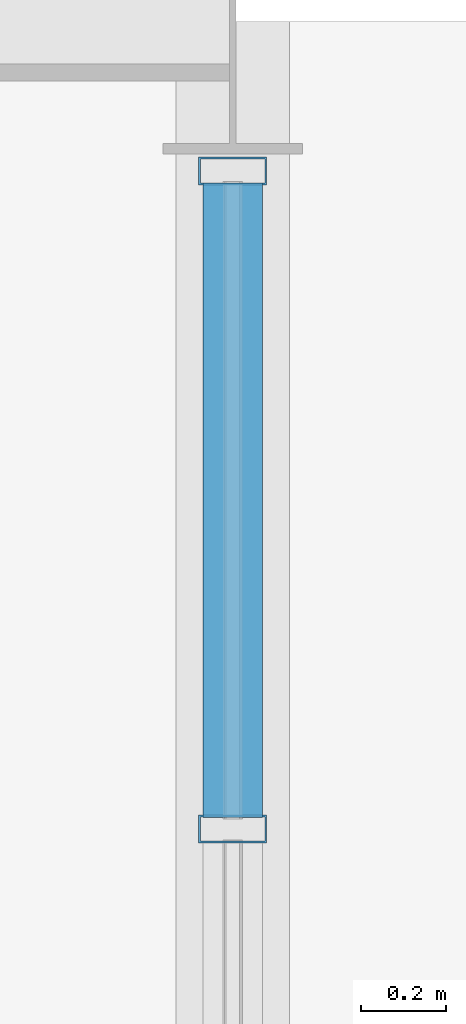
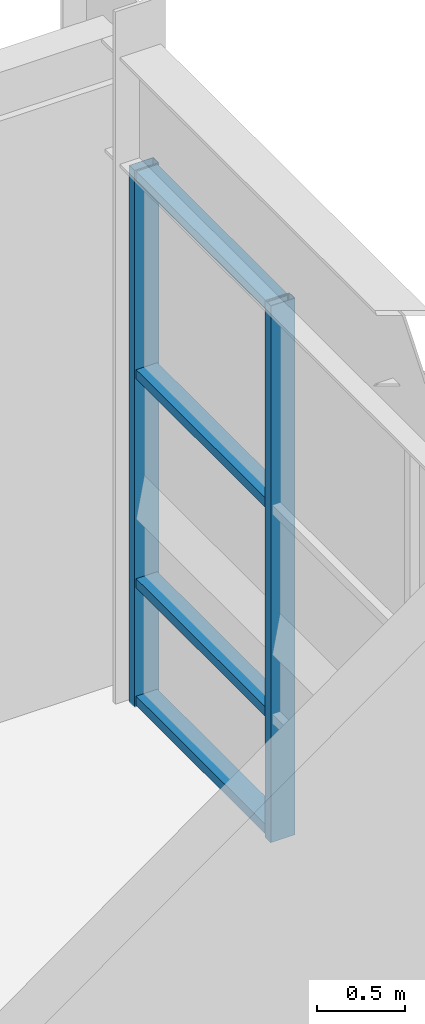
# One storey, part 69 of 104: 6 members, 1 element without a shape of its own.
"""IFC4 building model written with IfcOpenShell, lengths in metres."""

from ifc_helpers import new_model, si_unit, direction, frame, origin, origin_2d, place, context, subcontext, project, spatial, hollow_rectangle, extrude, material, layer, layer_set, material_profile, profile_set, type_object, element, aggregate, save


model = new_model("IFC4")

# Units and contexts
model_context = context("Model", 3, precision=1e-05, world=origin(), true_north=direction((0.0, 1.0)))
body_context = subcontext(model_context, "Body", "Model", "MODEL_VIEW")
ifc_project = project(units=[si_unit("LENGTHUNIT", "METRE"), si_unit("AREAUNIT", "SQUARE_METRE"), si_unit("VOLUMEUNIT", "CUBIC_METRE"), si_unit("PLANEANGLEUNIT", "RADIAN"), si_unit("MASSUNIT", "GRAM", prefix="KILO")], contexts=[model_context])

# Site, building, storey
site_placement = place(None, origin())
site = spatial("IfcSite", under=ifc_project, at=site_placement, CompositionType="ELEMENT")
building_placement = place(site_placement, origin())
building = spatial("IfcBuilding", under=site, at=building_placement, Name="Ventoquebrada Cableway Terminal", CompositionType="ELEMENT")
storey_placement = place(building_placement, frame((0.0, 0.0, 4.800048828125)))
storey = spatial("IfcBuildingStorey", under=building, at=storey_placement, Name="L01", CompositionType="ELEMENT", Elevation=4.800048828125)

# Curtain wall, members
ifc_material = material(Name="Anodized thermally-broken aluminium", Category="aluminium")
ifc_layer = layer(ifc_material, 0.159912109375)
ifc_layer_set = layer_set([ifc_layer], Name="Anodized thermally-broken aluminium")
curtain_wall_type = type_object("IfcCurtainWallType", Name="CW-T32", PredefinedType="USERDEFINED", material=ifc_layer_set)
curtain_wall_placement = place(storey_placement, origin())
curtain_wall = element("IfcCurtainWall", 1, at=curtain_wall_placement, inside=storey, type_object=curtain_wall_type, Name="Unitised glazed curtain wall CW-077", ObjectType="UNITISED CURTAIN WALL", PredefinedType="USERDEFINED")
ifc_material_profile_1 = material_profile(ifc_material, hollow_rectangle(XDim=0.06494140625, YDim=0.159912109375, WallThickness=0.00390625, at=origin_2d()), Name="CW-MUL-65X160")
ifc_profile_set_1 = profile_set([ifc_material_profile_1], Name="Anodized thermally-broken aluminium")
member_type_1 = type_object("IfcMemberType", Name="CWM-01", PredefinedType="MULLION", material=ifc_profile_set_1)
member_1_placement = place(storey_placement, frame((156.0, 100.10205078125, -0.008056640625), z_axis=(0.0, 0.0, 1.0), x_axis=(0.0, 1.0, 0.0)))
member_1 = element("IfcMember", 2, at=member_1_placement, type_object=member_type_1, Name="Curtain wall mullion FML-0370", PredefinedType="MULLION", context=body_context, shape_type="SweptSolid", body=[
    extrude(hollow_rectangle(XDim=0.06494140625, YDim=0.159912109375, WallThickness=0.00390625, at=origin_2d()), origin(), (0.0, 0.0, 1.0), 3.720947265625),
])
member_2_placement = place(storey_placement, frame((156.0, 101.64892578125, -0.008056640625), z_axis=(0.0, 0.0, 1.0), x_axis=(0.0, 1.0, 0.0)))
member_2 = element("IfcMember", 3, at=member_2_placement, type_object=member_type_1, Name="Curtain wall mullion FML-0371", PredefinedType="MULLION", context=body_context, shape_type="SweptSolid", body=[
    extrude(hollow_rectangle(XDim=0.06494140625, YDim=0.159912109375, WallThickness=0.00390625, at=origin_2d()), origin(), (0.0, 0.0, 1.0), 3.720947265625),
])
ifc_material_profile_2 = material_profile(ifc_material, hollow_rectangle(XDim=0.06494140625, YDim=0.139892578125, WallThickness=0.00390625, at=origin_2d()), Name="CW-TRN-65X140")
ifc_profile_set_2 = profile_set([ifc_material_profile_2], Name="Anodized thermally-broken aluminium")
member_type_2 = type_object("IfcMemberType", Name="CWT-01", PredefinedType="USERDEFINED", material=ifc_profile_set_2)
member_3_placement = place(storey_placement, frame((156.0, 100.12890625, 0.034912109375), z_axis=(0.0, 1.0, 0.0), x_axis=(0.0, 0.0, 1.0)))
member_3 = element("IfcMember", 4, at=member_3_placement, type_object=member_type_2, Name="Curtain wall transom FTR-1080", ObjectType="TRANSOM", PredefinedType="USERDEFINED", context=body_context, shape_type="SweptSolid", body=[
    extrude(hollow_rectangle(XDim=0.06494140625, YDim=0.139892578125, WallThickness=0.00390625, at=origin_2d()), origin(), (0.0, 0.0, 1.0), 1.4921875),
])
member_4_placement = place(storey_placement, frame((156.0, 100.12890625, 0.849853515625), z_axis=(0.0, 1.0, 0.0), x_axis=(0.0, 0.0, 1.0)))
member_4 = element("IfcMember", 5, at=member_4_placement, type_object=member_type_2, Name="Curtain wall transom FTR-1081", ObjectType="TRANSOM", PredefinedType="USERDEFINED", context=body_context, shape_type="SweptSolid", body=[
    extrude(hollow_rectangle(XDim=0.06494140625, YDim=0.139892578125, WallThickness=0.00390625, at=origin_2d()), origin(), (0.0, 0.0, 1.0), 1.4921875),
])
member_5_placement = place(storey_placement, frame((156.0, 100.12890625, 2.299072265625), z_axis=(0.0, 1.0, 0.0), x_axis=(0.0, 0.0, 1.0)))
member_5 = element("IfcMember", 6, at=member_5_placement, type_object=member_type_2, Name="Curtain wall transom FTR-1082", ObjectType="TRANSOM", PredefinedType="USERDEFINED", context=body_context, shape_type="SweptSolid", body=[
    extrude(hollow_rectangle(XDim=0.06494140625, YDim=0.139892578125, WallThickness=0.00390625, at=origin_2d()), origin(), (0.0, 0.0, 1.0), 1.4921875),
])
member_6_placement = place(storey_placement, frame((156.0, 100.12890625, 3.6728515625), z_axis=(0.0, 1.0, 0.0), x_axis=(0.0, 0.0, 1.0)))
member_6 = element("IfcMember", 7, at=member_6_placement, type_object=member_type_2, Name="Curtain wall transom FTR-1083", ObjectType="TRANSOM", PredefinedType="USERDEFINED", context=body_context, shape_type="SweptSolid", body=[
    extrude(hollow_rectangle(XDim=0.06494140625, YDim=0.139892578125, WallThickness=0.00390625, at=origin_2d()), origin(), (0.0, 0.0, 1.0), 1.4921875),
])
aggregate(curtain_wall, [member_1, member_2, member_3, member_4, member_5, member_6])

save(model, "model.ifc")
